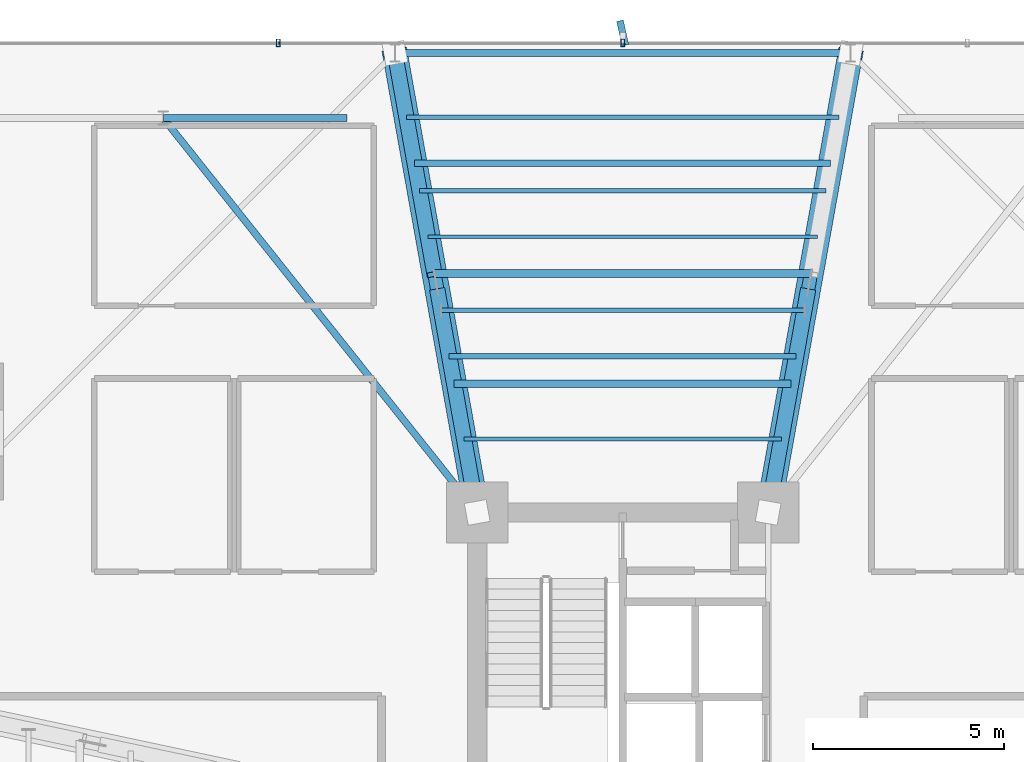
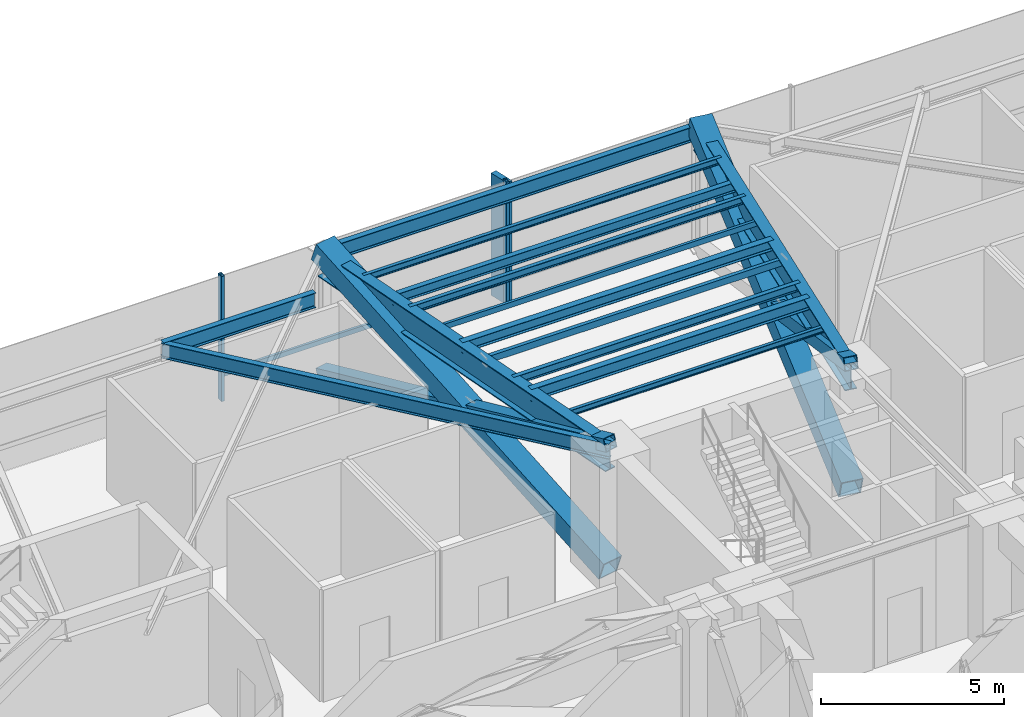
# One storey, part 14 of 32: 14 beams, 9 members, 1 element without a shape of its own.
"""IFC4 building model written with IfcOpenShell, lengths in metres."""

from ifc_helpers import new_model, si_unit, direction, frame, origin, origin_2d, place, context, subcontext, project, spatial, rectangle, hollow_rectangle, i_section, extrude, source, transform, mapped, material, material_profile, profile_set, type_object, element, aggregate, save


model = new_model("IFC4")

# Units and contexts
model_context = context("Model", 3, precision=1e-05, world=origin(), true_north=direction((0.0, 1.0)))
body_context = subcontext(model_context, "Body", "Model", "MODEL_VIEW")
ifc_project = project(units=[si_unit("LENGTHUNIT", "METRE"), si_unit("AREAUNIT", "SQUARE_METRE"), si_unit("VOLUMEUNIT", "CUBIC_METRE"), si_unit("PLANEANGLEUNIT", "RADIAN"), si_unit("MASSUNIT", "GRAM", prefix="KILO")], contexts=[model_context])

# Site, building, storey
site_placement = place(None, origin())
site = spatial("IfcSite", under=ifc_project, at=site_placement, CompositionType="ELEMENT")
building_placement = place(site_placement, origin())
building = spatial("IfcBuilding", under=site, at=building_placement, Name="Sahyath Konkavel Grand Hotel", CompositionType="ELEMENT")
storey_placement = place(building_placement, frame((0.0, 0.0, 14.10009765625)))
storey = spatial("IfcBuildingStorey", under=building, at=storey_placement, Name="L03", CompositionType="ELEMENT", Elevation=14.10009765625)

# Beams
ifc_material_1 = material(Name="Steel E350", Category="steel")
ifc_material_profile_1 = material_profile(ifc_material_1, i_section(OverallWidth=0.179931640625, OverallDepth=0.5, WebThickness=0.01025390625, FlangeThickness=0.01708984375, FilletRadius=0.01708984375, at=origin_2d()), Name="ISMB 500")
ifc_profile_set_1 = profile_set([ifc_material_profile_1], Name="Steel E350")
beam_type_1 = type_object("IfcBeamType", Name="BM-ISMB500", PredefinedType="BEAM", material=ifc_profile_set_1)
shared_shape_1 = source(origin(), body_context, "Body", "SweptSolid", [
    extrude(i_section(OverallWidth=0.179931640625, OverallDepth=0.5, WebThickness=0.01025390625, FlangeThickness=0.01708984375, FilletRadius=0.01708984375, at=origin_2d()), origin(), (0.0, 0.0, 1.0), 4.800048828125),
])
beam_1_placement = place(storey_placement, frame((-12.0, 20.5, 3.929931640625), z_axis=(1.0, 0.0, 0.0), x_axis=(0.0, 1.0, 0.0)))
element("IfcBeam", 1, at=beam_1_placement, inside=storey, type_object=beam_type_1, Name="str:bm:L03:POD34-02", PredefinedType="BEAM", context=body_context, shape_type="MappedRepresentation", body=[
    mapped(shared_shape_1, transform((0.0, 0.0, 0.0), scale=1.0)),
])
shared_shape_2 = source(origin(), body_context, "Body", "SweptSolid", [
    extrude(i_section(OverallWidth=0.179931640625, OverallDepth=0.5, WebThickness=0.01025390625, FlangeThickness=0.01708984375, FilletRadius=0.01708984375, at=origin_2d()), origin(), (0.0, 0.0, 1.0), 13.16552734375),
])
beam_2_placement = place(storey_placement, frame((-12.0, 20.5, 3.929931640625), z_axis=(0.622836622372, -0.782351929653, 0.0), x_axis=(0.782351929653, 0.622836622372, 0.0)))
element("IfcBeam", 2, at=beam_2_placement, inside=storey, type_object=beam_type_1, Name="str:bm:L03:POD34-10", PredefinedType="BEAM", context=body_context, shape_type="MappedRepresentation", body=[
    mapped(shared_shape_2, transform((0.0, 0.0, 0.0), scale=1.0)),
])
ifc_material_2 = material(Name="Steel E450", Category="steel")
ifc_material_profile_2 = material_profile(ifc_material_2, i_section(OverallWidth=0.35009765625, OverallDepth=0.89990234375, WebThickness=0.01806640625, FlangeThickness=0.031982421875, at=origin_2d()), Name="BPG 900x350")
ifc_profile_set_2 = profile_set([ifc_material_profile_2], Name="Steel E450")
beam_type_2 = type_object("IfcBeamType", Name="BM-BPG900", PredefinedType="BEAM", material=ifc_profile_set_2)
shared_shape_3 = source(origin(), body_context, "Body", "SweptSolid", [
    extrude(i_section(OverallWidth=0.35009765625, OverallDepth=0.89990234375, WebThickness=0.01806640625, FlangeThickness=0.031982421875, at=origin_2d()), origin(), (0.0, 0.0, 1.0), 12.191162109375),
])
for number, where, z_axis, x_axis, name in (
    (3, (3.800048828125, 10.199951171875, 3.72998046875), (0.176350650305, 0.984327409014, 0.0), (-0.984327409014, 0.176350650305, 0.0), "L03 Cruciform Radial Girder NA"),
    (4, (-3.800048828125, 10.199951171875, 3.72998046875), (-0.176350650305, 0.984327409014, 0.0), (-0.984327409014, -0.176350650305, 0.0), "L03 Cruciform Radial Girder NB"),
):
    element("IfcBeam", number, at=place(storey_placement, frame(where, z_axis=z_axis, x_axis=x_axis)), inside=storey, type_object=beam_type_2, Name=name, PredefinedType="BEAM", context=body_context, shape_type="MappedRepresentation", body=[
        mapped(shared_shape_3, transform((0.0, 0.0, 0.0), scale=1.0)),
    ])
shared_shape_4 = source(origin(), body_context, "Body", "SweptSolid", [
    extrude(i_section(OverallWidth=0.179931640625, OverallDepth=0.5, WebThickness=0.01025390625, FlangeThickness=0.01708984375, FilletRadius=0.01708984375, at=origin_2d()), origin(), (0.0, 0.0, 1.0), 11.89990234375),
])
beam_3_placement = place(storey_placement, frame((5.949951171875, 22.199951171875, 3.929931640625), z_axis=(-1.0, 0.0, 0.0), x_axis=(0.0, -1.0, 0.0)))
element("IfcBeam", 5, at=beam_3_placement, inside=storey, type_object=beam_type_1, Name="L03 Wing Tip Edge Beam N", PredefinedType="BEAM", context=body_context, shape_type="MappedRepresentation", body=[
    mapped(shared_shape_4, transform((0.0, 0.0, 0.0), scale=1.0)),
])
ifc_material_profile_3 = material_profile(ifc_material_1, i_section(OverallWidth=0.199951171875, OverallDepth=0.39990234375, WebThickness=0.008544921875, FlangeThickness=0.012939453125, FilletRadius=0.014892578125, at=origin_2d()), Name="ISWB 400")
ifc_profile_set_3 = profile_set([ifc_material_profile_3], Name="Steel E350")
beam_type_3 = type_object("IfcBeamType", Name="BM-ISWB400", PredefinedType="BEAM", material=ifc_profile_set_3)
shared_shape_5 = source(origin(), body_context, "Body", "SweptSolid", [
    extrude(i_section(OverallWidth=0.199951171875, OverallDepth=0.39990234375, WebThickness=0.008544921875, FlangeThickness=0.012939453125, FilletRadius=0.014892578125, at=origin_2d()), origin(), (0.0, 0.0, 1.0), 8.80419921875),
])
beam_4_placement = place(storey_placement, frame((4.402099609375, 13.56005859375, 3.97998046875), z_axis=(-1.0, 0.0, 0.0), x_axis=(0.0, -1.0, 0.0)))
element("IfcBeam", 6, at=beam_4_placement, inside=storey, type_object=beam_type_3, Name="L03 Secondary Floor Beam N-1", PredefinedType="BEAM", context=body_context, shape_type="MappedRepresentation", body=[
    mapped(shared_shape_5, transform((0.0, 0.0, 0.0), scale=1.0)),
])
ifc_material_profile_4 = material_profile(ifc_material_1, i_section(OverallWidth=0.199951171875, OverallDepth=0.35009765625, WebThickness=0.008056640625, FlangeThickness=0.011474609375, FilletRadius=0.013916015625, at=origin_2d()), Name="ISWB 350")
ifc_profile_set_4 = profile_set([ifc_material_profile_4], Name="Steel E350")
beam_type_4 = type_object("IfcBeamType", Name="BM-ISWB350", PredefinedType="BEAM", material=ifc_profile_set_4)
shared_shape_6 = source(origin(), body_context, "Body", "SweptSolid", [
    extrude(i_section(OverallWidth=0.199951171875, OverallDepth=0.35009765625, WebThickness=0.008056640625, FlangeThickness=0.011474609375, FilletRadius=0.013916015625, at=origin_2d()), origin(), (0.0, 0.0, 1.0), 9.8359375),
])
beam_5_placement = place(storey_placement, frame((4.91796875, 16.43994140625, 4.0048828125), z_axis=(-1.0, 0.0, 0.0), x_axis=(0.0, -1.0, 0.0)))
element("IfcBeam", 7, at=beam_5_placement, inside=storey, type_object=beam_type_4, Name="L03 Secondary Floor Beam N-2", PredefinedType="BEAM", context=body_context, shape_type="MappedRepresentation", body=[
    mapped(shared_shape_6, transform((0.0, 0.0, 0.0), scale=1.0)),
])
ifc_material_profile_5 = material_profile(ifc_material_1, i_section(OverallWidth=0.1650390625, OverallDepth=0.324951171875, WebThickness=0.007080078125, FlangeThickness=0.009765625, FilletRadius=0.014892578125, at=origin_2d()), Name="ISLB 325")
ifc_profile_set_5 = profile_set([ifc_material_profile_5], Name="Steel E350")
beam_type_5 = type_object("IfcBeamType", Name="BM-ISLB325", PredefinedType="BEAM", material=ifc_profile_set_5)
shared_shape_7 = source(origin(), body_context, "Body", "SweptSolid", [
    extrude(i_section(OverallWidth=0.1650390625, OverallDepth=0.324951171875, WebThickness=0.007080078125, FlangeThickness=0.009765625, FilletRadius=0.014892578125, at=origin_2d()), origin(), (0.0, 0.0, 1.0), 10.8681640625),
])
beam_6_placement = place(storey_placement, frame((5.43408203125, 19.320068359375, 4.017333984375), z_axis=(-1.0, 0.0, 0.0), x_axis=(0.0, -1.0, 0.0)))
element("IfcBeam", 8, at=beam_6_placement, inside=storey, type_object=beam_type_5, Name="L03 Secondary Floor Beam N-3", PredefinedType="BEAM", context=body_context, shape_type="MappedRepresentation", body=[
    mapped(shared_shape_7, transform((0.0, 0.0, 0.0), scale=1.0)),
])

# Members
ifc_material_profile_6 = material_profile(ifc_material_2, hollow_rectangle(XDim=0.64990234375, YDim=0.64990234375, WallThickness=0.031982421875, at=origin_2d()), Name="BOX 650x650x32")
ifc_profile_set_6 = profile_set([ifc_material_profile_6], Name="Steel E450")
member_type_1 = type_object("IfcMemberType", Name="BR-BOX650", PredefinedType="BRACE", material=ifc_profile_set_6)
shared_shape_8 = source(origin(), body_context, "Body", "SweptSolid", [
    extrude(hollow_rectangle(XDim=0.64990234375, YDim=0.64990234375, WallThickness=0.031982421875, at=origin_2d()), origin(), (0.0, 0.0, 1.0), 12.88134765625),
])
for number, where, z_axis, x_axis, name in (
    (9, (3.800048828125, 10.199951171875, 0.010009765625), (0.166901511413, 0.931585633543, 0.322942863158), (-0.984327409014, 0.176350650305, 0.0), "L03 Ballroom Steel Transfer Truss NA Continuous Diagonal 1"),
    (10, (-3.800048828125, 10.199951171875, 0.010009765625), (-0.166901511413, 0.931585633543, 0.322942863158), (-0.984327409014, -0.176350650305, 0.0), "L03 Ballroom Steel Transfer Truss NB Continuous Diagonal 1"),
):
    element("IfcMember", number, at=place(storey_placement, frame(where, z_axis=z_axis, x_axis=x_axis)), inside=storey, type_object=member_type_1, Name=name, PredefinedType="BRACE", context=body_context, shape_type="MappedRepresentation", body=[
        mapped(shared_shape_8, transform((0.0, 0.0, 0.0), scale=1.0)),
    ])
ifc_material_profile_7 = material_profile(ifc_material_2, hollow_rectangle(XDim=0.39990234375, YDim=0.39990234375, WallThickness=0.02001953125, at=origin_2d()), Name="SHS 400x400x20")
ifc_profile_set_7 = profile_set([ifc_material_profile_7], Name="Steel E450")
member_type_2 = type_object("IfcMemberType", Name="BR-SHS400", PredefinedType="BRACE", material=ifc_profile_set_7)
shared_shape_9 = source(origin(), body_context, "Body", "SweptSolid", [
    extrude(hollow_rectangle(XDim=0.39990234375, YDim=0.39990234375, WallThickness=0.02001953125, at=origin_2d()), origin(), (0.0, 0.0, 1.0), 6.20068359375),
])
for number, where, z_axis, x_axis, name in (
    (11, (4.8349609375, 15.976318359375, 2.16748046875), (-0.16690560693, -0.931584491619, 0.322944040586), (0.984326620303, -0.176355052556, 0.0), "L03 Ballroom Steel Transfer Truss NA Split Upper Diagonal 2B"),
    (12, (-5.949951171875, 22.199951171875, 0.010009765625), (0.16690560693, -0.931584491619, 0.322944040586), (0.984326620303, 0.176355052556, 0.0), "L03 Ballroom Steel Transfer Truss NB Split Lower Diagonal 2A"),
    (13, (-4.8349609375, 15.976318359375, 2.16748046875), (0.16690560693, -0.931584491619, 0.322944040586), (0.984326620303, 0.176355052556, 0.0), "L03 Ballroom Steel Transfer Truss NB Split Upper Diagonal 2B"),
):
    element("IfcMember", number, at=place(storey_placement, frame(where, z_axis=z_axis, x_axis=x_axis)), inside=storey, type_object=member_type_2, Name=name, PredefinedType="BRACE", context=body_context, shape_type="MappedRepresentation", body=[
        mapped(shared_shape_9, transform((0.0, 0.0, 0.0), scale=1.0)),
    ])

# Beams
ifc_material_profile_8 = material_profile(ifc_material_1, i_section(OverallWidth=0.10009765625, OverallDepth=0.199951171875, WebThickness=0.005615234375, FlangeThickness=0.0107421875, FilletRadius=0.010986328125, at=origin_2d()), Name="ISMB 200")
ifc_profile_set_8 = profile_set([ifc_material_profile_8], Name="Steel E350")
beam_type_6 = type_object("IfcBeamType", Name="BM-ISMB200", PredefinedType="BEAM", material=ifc_profile_set_8)
shared_shape_10 = source(origin(), body_context, "Body", "SweptSolid", [
    extrude(i_section(OverallWidth=0.10009765625, OverallDepth=0.199951171875, WebThickness=0.005615234375, FlangeThickness=0.0107421875, FilletRadius=0.010986328125, at=origin_2d()), origin(), (0.0, 0.0, 1.0), 8.2880859375),
])
beam_7_placement = place(storey_placement, frame((4.14404296875, 12.1201171875, 4.079833984375), z_axis=(-1.0, 0.0, 0.0), x_axis=(0.0, -1.0, 0.0)))
element("IfcBeam", 14, at=beam_7_placement, inside=storey, type_object=beam_type_6, Name="L03 Composite Deck Sub-Beam N-1", PredefinedType="BEAM", context=body_context, shape_type="MappedRepresentation", body=[
    mapped(shared_shape_10, transform((0.0, 0.0, 0.0), scale=1.0)),
])
ifc_material_profile_9 = material_profile(ifc_material_1, i_section(OverallWidth=0.139892578125, OverallDepth=0.27490234375, WebThickness=0.00634765625, FlangeThickness=0.0087890625, FilletRadius=0.012939453125, at=origin_2d()), Name="ISLB 275")
ifc_profile_set_9 = profile_set([ifc_material_profile_9], Name="Steel E350")
beam_type_7 = type_object("IfcBeamType", Name="BM-ISLB275", PredefinedType="BEAM", material=ifc_profile_set_9)
shared_shape_11 = source(origin(), body_context, "Body", "SweptSolid", [
    extrude(i_section(OverallWidth=0.139892578125, OverallDepth=0.27490234375, WebThickness=0.00634765625, FlangeThickness=0.0087890625, FilletRadius=0.012939453125, at=origin_2d()), origin(), (0.0, 0.0, 1.0), 9.06201171875),
])
beam_8_placement = place(storey_placement, frame((4.531005859375, 14.280029296875, 4.04248046875), z_axis=(-1.0, 0.0, 0.0), x_axis=(0.0, -1.0, 0.0)))
element("IfcBeam", 15, at=beam_8_placement, inside=storey, type_object=beam_type_7, Name="L03 Composite Deck Sub-Beam N-2", PredefinedType="BEAM", context=body_context, shape_type="MappedRepresentation", body=[
    mapped(shared_shape_11, transform((0.0, 0.0, 0.0), scale=1.0)),
])
ifc_material_profile_10 = material_profile(ifc_material_1, hollow_rectangle(XDim=0.1201171875, YDim=0.219970703125, WallThickness=0.010009765625, at=origin_2d()), Name="RHS 220x120x10")
ifc_profile_set_10 = profile_set([ifc_material_profile_10], Name="Steel E350")
beam_type_8 = type_object("IfcBeamType", Name="BM-RHS220", PredefinedType="BEAM", material=ifc_profile_set_10)
shared_shape_12 = source(origin(), body_context, "Body", "SweptSolid", [
    extrude(hollow_rectangle(XDim=0.1201171875, YDim=0.219970703125, WallThickness=0.010009765625, at=origin_2d()), origin(), (0.0, 0.0, 1.0), 9.4921875),
])
beam_9_placement = place(storey_placement, frame((4.74609375, 15.47998046875, 4.06982421875), z_axis=(-1.0, 0.0, 0.0), x_axis=(0.0, -1.0, 0.0)))
element("IfcBeam", 16, at=beam_9_placement, inside=storey, type_object=beam_type_8, Name="L03 Composite Deck Sub-Beam N-3", PredefinedType="BEAM", context=body_context, shape_type="MappedRepresentation", body=[
    mapped(shared_shape_12, transform((0.0, 0.0, 0.0), scale=1.0)),
])
ifc_material_profile_11 = material_profile(ifc_material_1, hollow_rectangle(XDim=0.090087890625, YDim=0.179931640625, WallThickness=0.008056640625, at=origin_2d()), Name="RHS 180x90x8")
ifc_profile_set_11 = profile_set([ifc_material_profile_11], Name="Steel E350")
beam_type_9 = type_object("IfcBeamType", Name="BM-RHS180", PredefinedType="BEAM", material=ifc_profile_set_11)
shared_shape_13 = source(origin(), body_context, "Body", "SweptSolid", [
    extrude(hollow_rectangle(XDim=0.090087890625, YDim=0.179931640625, WallThickness=0.008056640625, at=origin_2d()), origin(), (0.0, 0.0, 1.0), 10.18017578125),
])
beam_10_placement = place(storey_placement, frame((5.090087890625, 17.39990234375, 4.08984375), z_axis=(-1.0, 0.0, 0.0), x_axis=(0.0, -1.0, 0.0)))
element("IfcBeam", 17, at=beam_10_placement, inside=storey, type_object=beam_type_9, Name="L03 Composite Deck Sub-Beam N-4", PredefinedType="BEAM", context=body_context, shape_type="MappedRepresentation", body=[
    mapped(shared_shape_13, transform((0.0, 0.0, 0.0), scale=1.0)),
])
ifc_material_profile_12 = material_profile(ifc_material_1, i_section(OverallWidth=0.125, OverallDepth=0.25, WebThickness=0.0068359375, FlangeThickness=0.012451171875, FilletRadius=0.012939453125, at=origin_2d()), Name="ISMB 250")
ifc_profile_set_12 = profile_set([ifc_material_profile_12], Name="Steel E350")
beam_type_10 = type_object("IfcBeamType", Name="BM-ISMB250", PredefinedType="BEAM", material=ifc_profile_set_12)
shared_shape_14 = source(origin(), body_context, "Body", "SweptSolid", [
    extrude(i_section(OverallWidth=0.125, OverallDepth=0.25, WebThickness=0.0068359375, FlangeThickness=0.012451171875, FilletRadius=0.012939453125, at=origin_2d()), origin(), (0.0, 0.0, 1.0), 10.60986328125),
])
beam_11_placement = place(storey_placement, frame((5.304931640625, 18.60009765625, 4.054931640625), z_axis=(-1.0, 0.0, 0.0), x_axis=(0.0, -1.0, 0.0)))
element("IfcBeam", 18, at=beam_11_placement, inside=storey, type_object=beam_type_10, Name="L03 Composite Deck Sub-Beam N-5", PredefinedType="BEAM", context=body_context, shape_type="MappedRepresentation", body=[
    mapped(shared_shape_14, transform((0.0, 0.0, 0.0), scale=1.0)),
])
ifc_material_profile_13 = material_profile(ifc_material_1, i_section(OverallWidth=0.110107421875, OverallDepth=0.22509765625, WebThickness=0.006591796875, FlangeThickness=0.01171875, FilletRadius=0.011962890625, at=origin_2d()), Name="ISMB 225")
ifc_profile_set_13 = profile_set([ifc_material_profile_13], Name="Steel E350")
beam_type_11 = type_object("IfcBeamType", Name="BM-ISMB225", PredefinedType="BEAM", material=ifc_profile_set_13)
shared_shape_15 = source(origin(), body_context, "Body", "SweptSolid", [
    extrude(i_section(OverallWidth=0.110107421875, OverallDepth=0.22509765625, WebThickness=0.006591796875, FlangeThickness=0.01171875, FilletRadius=0.011962890625, at=origin_2d()), origin(), (0.0, 0.0, 1.0), 11.2978515625),
])
beam_12_placement = place(storey_placement, frame((5.64892578125, 20.52001953125, 4.0673828125), z_axis=(-1.0, 0.0, 0.0), x_axis=(0.0, -1.0, 0.0)))
element("IfcBeam", 19, at=beam_12_placement, inside=storey, type_object=beam_type_11, Name="L03 Composite Deck Sub-Beam N-6", PredefinedType="BEAM", context=body_context, shape_type="MappedRepresentation", body=[
    mapped(shared_shape_15, transform((0.0, 0.0, 0.0), scale=1.0)),
])

# Curtain wall, members
ifc_material_3 = material(Name="Anodised Bronze Aluminium & Low-E Glazing", Category="aluminium")
curtain_wall_type = type_object("IfcCurtainWallType", Name="CW-PODIUM", PredefinedType="NOTDEFINED", material=ifc_material_3)
curtain_wall_placement = place(storey_placement, origin())
curtain_wall = element("IfcCurtainWall", 20, at=curtain_wall_placement, inside=storey, type_object=curtain_wall_type, Name="L03 Unitised Curtain Wall N", PredefinedType="NOTDEFINED")
ifc_material_4 = material(Name="Anodised Bronze Aluminium", Category="aluminium")
ifc_material_profile_14 = material_profile(ifc_material_4, hollow_rectangle(XDim=0.10009765625, YDim=0.199951171875, WallThickness=0.008056640625, at=origin_2d()), Name="RHS 200x100x8")
ifc_profile_set_14 = profile_set([ifc_material_profile_14], Name="Anodised Bronze Aluminium")
member_type_3 = type_object("IfcMemberType", Name="CW-MUL-200", PredefinedType="MULLION", material=ifc_profile_set_14)
shared_shape_16 = source(origin(), body_context, "Body", "SweptSolid", [
    extrude(hollow_rectangle(XDim=0.10009765625, YDim=0.199951171875, WallThickness=0.008056640625, at=origin_2d()), origin(), (0.0, 0.0, 1.0), 4.179931640625),
])
member_1_placement = place(storey_placement, frame((0.0, 22.465087890625, 0.0), z_axis=(0.0, 0.0, 1.0), x_axis=(1.0, 0.0, 0.0)))
member_1 = element("IfcMember", 21, at=member_1_placement, type_object=member_type_3, Name="L03 Curtain Wall Mullion N-3", PredefinedType="MULLION", context=body_context, shape_type="MappedRepresentation", body=[
    mapped(shared_shape_16, transform((0.0, 0.0, 0.0), scale=1.0)),
])
member_2_placement = place(storey_placement, frame((-8.998779296875, 22.465087890625, 0.0), z_axis=(0.0, 0.0, 1.0), x_axis=(1.0, 0.0, 0.0)))
member_2 = element("IfcMember", 22, at=member_2_placement, type_object=member_type_3, Name="L03 Curtain Wall Mullion N-4", PredefinedType="MULLION", context=body_context, shape_type="MappedRepresentation", body=[
    mapped(shared_shape_16, transform((0.0, 0.0, 0.0), scale=1.0)),
])
ifc_material_5 = material(Name="Warm Buff Sandstone Cladding on Concrete C50/60", Category="masonry")
ifc_material_profile_15 = material_profile(ifc_material_5, rectangle(XDim=0.179931640625, YDim=0.64990234375, at=origin_2d()), Name="FIN 180x650")
ifc_profile_set_15 = profile_set([ifc_material_profile_15], Name="Warm Buff Sandstone Cladding on Concrete C50/60")
member_type_4 = type_object("IfcMemberType", Name="FIN-SANDSTONE-650", PredefinedType="MULLION", material=ifc_profile_set_15)
shared_shape_17 = source(origin(), body_context, "Body", "SweptSolid", [
    extrude(rectangle(XDim=0.179931640625, YDim=0.64990234375, at=origin_2d()), origin(), (0.0, 0.0, 1.0), 4.080078125),
])
member_3_placement = place(storey_placement, frame((0.0, 22.72509765625, 0.0498046875), z_axis=(0.0, 0.0, 1.0), x_axis=(0.975419299024, 0.220356962886, 0.0)))
member_3 = element("IfcMember", 23, at=member_3_placement, type_object=member_type_4, Name="L03 Sandstone Vertical Solar Fin FIN N-3", PredefinedType="MULLION", context=body_context, shape_type="MappedRepresentation", body=[
    mapped(shared_shape_17, transform((0.0, 0.0, 0.0), scale=1.0)),
])
ifc_material_profile_16 = material_profile(ifc_material_4, hollow_rectangle(XDim=0.080078125, YDim=0.159912109375, WallThickness=0.006103515625, at=origin_2d()), Name="RHS 160x80x6")
ifc_profile_set_16 = profile_set([ifc_material_profile_16], Name="Anodised Bronze Aluminium")
member_type_5 = type_object("IfcMemberType", Name="CW-TRN-160", PredefinedType="USERDEFINED", material=ifc_profile_set_16)
shared_shape_18 = source(origin(), body_context, "Body", "SweptSolid", [
    extrude(hollow_rectangle(XDim=0.080078125, YDim=0.159912109375, WallThickness=0.006103515625, at=origin_2d()), origin(), (0.0, 0.0, 1.0), 8.998779296875),
])
member_4_placement = place(storey_placement, frame((0.0, 22.465087890625, 0.849853515625), z_axis=(-1.0, 0.0, 0.0), x_axis=(0.0, -1.0, 0.0)))
member_4 = element("IfcMember", 24, at=member_4_placement, type_object=member_type_5, Name="L03 Curtain Wall Transom N-3-spandrel", ObjectType="TRANSOM", PredefinedType="USERDEFINED", context=body_context, shape_type="MappedRepresentation", body=[
    mapped(shared_shape_18, transform((0.0, 0.0, 0.0), scale=1.0)),
])
aggregate(curtain_wall, [member_1, member_3, member_2, member_4])

save(model, "model.ifc")
